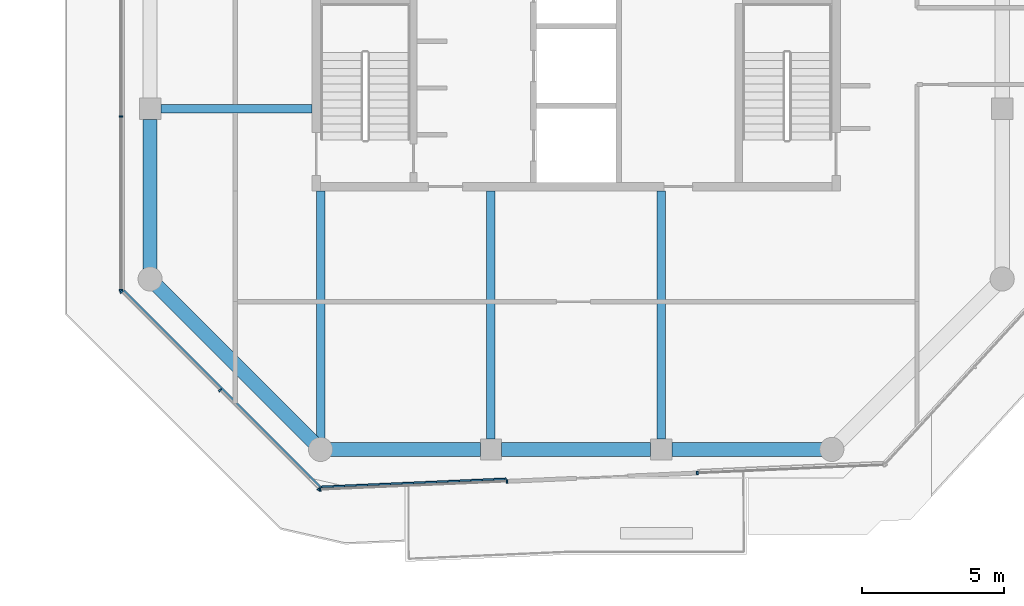
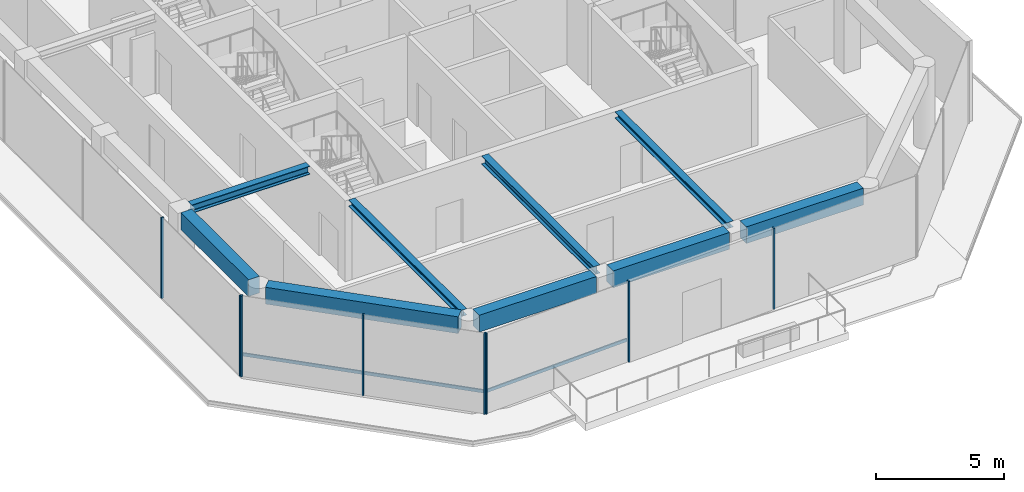
# One storey, part 2 of 20: 10 members, 9 beams, 4 elements without a shape of their own.
"""IFC4 building model written with IfcOpenShell, lengths in metres."""

from ifc_helpers import new_model, si_unit, direction, frame, origin, origin_2d, place, context, subcontext, project, spatial, rectangle, i_section, extrude, material, layer, layer_set, material_profile, profile_set, type_object, element, aggregate, save


model = new_model("IFC4")

# Units and contexts
model_context = context("Model", 3, precision=1e-05, world=origin(), true_north=direction((0.0, 1.0)))
body_context = subcontext(model_context, "Body", "Model", "MODEL_VIEW")
ifc_project = project(units=[si_unit("LENGTHUNIT", "METRE"), si_unit("AREAUNIT", "SQUARE_METRE"), si_unit("VOLUMEUNIT", "CUBIC_METRE"), si_unit("PLANEANGLEUNIT", "RADIAN"), si_unit("MASSUNIT", "GRAM", prefix="KILO")], contexts=[model_context])

# Site, building, storey
site_placement = place(None, origin())
site = spatial("IfcSite", under=ifc_project, at=site_placement, CompositionType="ELEMENT")
building_placement = place(site_placement, origin())
building = spatial("IfcBuilding", under=site, at=building_placement, Name="Welwitschia Terrace Campus", CompositionType="ELEMENT")
storey_placement = place(building_placement, frame((0.0, 0.0, 297.800048828125)))
storey = spatial("IfcBuildingStorey", under=building, at=storey_placement, Name="L66", CompositionType="ELEMENT", Elevation=297.800048828125)

# Beams
ifc_material_1 = material(Name="Steel S355", Category="steel")
ifc_material_profile_1 = material_profile(ifc_material_1, i_section(OverallWidth=0.300048828125, OverallDepth=0.300048828125, WebThickness=0.010986328125, FlangeThickness=0.01904296875, FilletRadius=0.027099609375, at=origin_2d()))
ifc_profile_set_1 = profile_set([ifc_material_profile_1], Name="Steel S355")
beam_type_1 = type_object("IfcBeamType", Name="Interior girder HE 300 B", PredefinedType="BEAM", material=ifc_profile_set_1)
beam_1_placement = place(storey_placement, frame((6.0, -3.611572265625, 3.699951171875), z_axis=(0.0, 1.0, 0.0), x_axis=(-1.0, 0.0, 0.0)))
element("IfcBeam", 1, at=beam_1_placement, inside=storey, type_object=beam_type_1, Name="Girder GB6", PredefinedType="BEAM", context=body_context, shape_type="SweptSolid", body=[
    extrude(i_section(OverallWidth=0.300048828125, OverallDepth=0.300048828125, WebThickness=0.010986328125, FlangeThickness=0.01904296875, FilletRadius=0.027099609375, at=origin_2d()), origin(), (0.0, 0.0, 1.0), 8.710693359375),
])
beam_2_placement = place(storey_placement, frame((18.0, -3.634521484375, 3.699951171875), z_axis=(0.0, 1.0, 0.0), x_axis=(-1.0, 0.0, 0.0)))
element("IfcBeam", 2, at=beam_2_placement, inside=storey, type_object=beam_type_1, Name="Girder GB6", PredefinedType="BEAM", context=body_context, shape_type="SweptSolid", body=[
    extrude(i_section(OverallWidth=0.300048828125, OverallDepth=0.300048828125, WebThickness=0.010986328125, FlangeThickness=0.01904296875, FilletRadius=0.027099609375, at=origin_2d()), origin(), (0.0, 0.0, 1.0), 8.733642578125),
])

# Curtain wall, members
ifc_material_2 = material(Name="Bronze anodised aluminium", Category="aluminium")
ifc_layer = layer(ifc_material_2, 0.1201171875)
ifc_layer_set = layer_set([ifc_layer], Name="Bronze anodised aluminium")
curtain_wall_type = type_object("IfcCurtainWallType", Name="Curtain wall CW2 tower 6000", PredefinedType="NOTDEFINED", material=ifc_layer_set)
curtain_wall_1_placement = place(storey_placement, origin())
curtain_wall_1 = element("IfcCurtainWall", 3, at=curtain_wall_1_placement, inside=storey, type_object=curtain_wall_type, Name="CW L66.0.0", PredefinedType="NOTDEFINED")
ifc_material_3 = material(Name="Bronze anodised aluminium", Category="aluminium")
ifc_material_profile_2 = material_profile(ifc_material_3, rectangle(XDim=0.1201171875, YDim=0.06005859375, at=origin_2d()))
ifc_profile_set_2 = profile_set([ifc_material_profile_2], Name="Bronze anodised aluminium")
member_type_1 = type_object("IfcMemberType", Name="Mullion 60x120", PredefinedType="MULLION", material=ifc_profile_set_2)
member_1_placement = place(storey_placement, frame((-1.0087890625, 1.55224609375, 0.0), z_axis=(0.0, 0.0, 1.0), x_axis=(0.707106781187, 0.707106781187, 0.0)))
member_1 = element("IfcMember", 4, at=member_1_placement, type_object=member_type_1, Name="Mullion L66.0.0.0", PredefinedType="MULLION", context=body_context, shape_type="SweptSolid", body=[
    extrude(rectangle(XDim=0.1201171875, YDim=0.06005859375, at=origin_2d()), origin(), (0.0, 0.0, 1.0), 3.849853515625),
])
member_2_placement = place(storey_placement, frame((2.462646484375, -1.919189453125, 0.0), z_axis=(0.0, 0.0, 1.0), x_axis=(0.707106781187, 0.707106781187, 0.0)))
member_2 = element("IfcMember", 5, at=member_2_placement, type_object=member_type_1, Name="Mullion L66.0.0.1", PredefinedType="MULLION", context=body_context, shape_type="SweptSolid", body=[
    extrude(rectangle(XDim=0.1201171875, YDim=0.06005859375, at=origin_2d()), origin(), (0.0, 0.0, 1.0), 3.849853515625),
])
member_3_placement = place(storey_placement, frame((5.93408203125, -5.390625, 0.0), z_axis=(0.0, 0.0, 1.0), x_axis=(0.707106781187, 0.707106781187, 0.0)))
member_3 = element("IfcMember", 6, at=member_3_placement, type_object=member_type_1, Name="Mullion L66.0.0.2", PredefinedType="MULLION", context=body_context, shape_type="SweptSolid", body=[
    extrude(rectangle(XDim=0.1201171875, YDim=0.06005859375, at=origin_2d()), origin(), (0.0, 0.0, 1.0), 3.849853515625),
])

curtain_wall_2_placement = place(storey_placement, origin())
curtain_wall_2 = element("IfcCurtainWall", 7, at=curtain_wall_2_placement, inside=storey, type_object=curtain_wall_type, Name="CW L66.1.0", PredefinedType="NOTDEFINED")
member_4_placement = place(storey_placement, frame((5.9853515625, -5.41064453125, 0.0), z_axis=(0.0, 0.0, 1.0), x_axis=(-0.043619387365, 0.999048221582, 0.0)))
member_4 = element("IfcMember", 8, at=member_4_placement, type_object=member_type_1, Name="Mullion L66.1.0.0", PredefinedType="MULLION", context=body_context, shape_type="SweptSolid", body=[
    extrude(rectangle(XDim=0.1201171875, YDim=0.06005859375, at=origin_2d()), origin(), (0.0, 0.0, 1.0), 3.849853515625),
])
member_5_placement = place(storey_placement, frame((12.56494140625, -5.123291015625, 0.0), z_axis=(0.0, 0.0, 1.0), x_axis=(-0.043619387365, 0.999048221582, 0.0)))
member_5 = element("IfcMember", 9, at=member_5_placement, type_object=member_type_1, Name="Mullion L66.1.0.1", PredefinedType="MULLION", context=body_context, shape_type="SweptSolid", body=[
    extrude(rectangle(XDim=0.1201171875, YDim=0.06005859375, at=origin_2d()), origin(), (0.0, 0.0, 1.0), 3.849853515625),
])

# Curtain wall, member
curtain_wall_3_placement = place(storey_placement, origin())
curtain_wall_3 = element("IfcCurtainWall", 10, at=curtain_wall_3_placement, inside=storey, type_object=curtain_wall_type, Name="CW L66.1.2", PredefinedType="NOTDEFINED")
member_6_placement = place(storey_placement, frame((19.2646484375, -4.830810546875, 0.0), z_axis=(0.0, 0.0, 1.0), x_axis=(-0.043619387365, 0.999048221582, 0.0)))
member_6 = element("IfcMember", 11, at=member_6_placement, type_object=member_type_1, Name="Mullion L66.1.2.0", PredefinedType="MULLION", context=body_context, shape_type="SweptSolid", body=[
    extrude(rectangle(XDim=0.1201171875, YDim=0.06005859375, at=origin_2d()), origin(), (0.0, 0.0, 1.0), 3.849853515625),
])
aggregate(curtain_wall_3, [member_6])

# Curtain wall, members
curtain_wall_4_placement = place(storey_placement, origin())
curtain_wall_4 = element("IfcCurtainWall", 12, at=curtain_wall_4_placement, inside=storey, type_object=curtain_wall_type, Name="CW L66.9.0", PredefinedType="NOTDEFINED")
member_7_placement = place(storey_placement, frame((-1.030029296875, 7.718994140625, 0.0), z_axis=(0.0, 0.0, 1.0), x_axis=(1.0, 0.0, 0.0)))
member_7 = element("IfcMember", 13, at=member_7_placement, type_object=member_type_1, Name="Mullion L66.9.0.9", PredefinedType="MULLION", context=body_context, shape_type="SweptSolid", body=[
    extrude(rectangle(XDim=0.1201171875, YDim=0.06005859375, at=origin_2d()), origin(), (0.0, 0.0, 1.0), 3.849853515625),
])
member_8_placement = place(storey_placement, frame((-1.030029296875, 1.603271484375, 0.0), z_axis=(0.0, 0.0, 1.0), x_axis=(1.0, 0.0, 0.0)))
member_8 = element("IfcMember", 14, at=member_8_placement, type_object=member_type_1, Name="Mullion L66.9.0.10", PredefinedType="MULLION", context=body_context, shape_type="SweptSolid", body=[
    extrude(rectangle(XDim=0.1201171875, YDim=0.06005859375, at=origin_2d()), origin(), (0.0, 0.0, 1.0), 3.849853515625),
])
aggregate(curtain_wall_4, [member_7, member_8])

# Beams
ifc_material_4 = material(Name="Steel S355", Category="steel")
ifc_material_profile_3 = material_profile(ifc_material_4, i_section(OverallWidth=0.300048828125, OverallDepth=0.39990234375, WebThickness=0.013427734375, FlangeThickness=0.02392578125, FilletRadius=0.027099609375, at=origin_2d()))
ifc_profile_set_3 = profile_set([ifc_material_profile_3], Name="Steel S355")
beam_type_2 = type_object("IfcBeamType", Name="Primary beam HE 400 B", PredefinedType="BEAM", material=ifc_profile_set_3)
beam_3_placement = place(storey_placement, frame((12.0, -3.62451171875, 3.64990234375), z_axis=(0.0, 1.0, 0.0), x_axis=(-1.0, 0.0, 0.0)))
element("IfcBeam", 15, at=beam_3_placement, inside=storey, type_object=beam_type_2, Name="Primary beam PB6", PredefinedType="BEAM", context=body_context, shape_type="SweptSolid", body=[
    extrude(i_section(OverallWidth=0.300048828125, OverallDepth=0.39990234375, WebThickness=0.013427734375, FlangeThickness=0.02392578125, FilletRadius=0.027099609375, at=origin_2d()), origin(), (0.0, 0.0, 1.0), 8.724609375),
])
beam_4_placement = place(storey_placement, frame((0.37548828125, 8.0, 3.64990234375), z_axis=(1.0, 0.0, 0.0), x_axis=(0.0, 1.0, 0.0)))
element("IfcBeam", 16, at=beam_4_placement, inside=storey, type_object=beam_type_2, Name="Primary beam PB6", PredefinedType="BEAM", context=body_context, shape_type="SweptSolid", body=[
    extrude(i_section(OverallWidth=0.300048828125, OverallDepth=0.39990234375, WebThickness=0.013427734375, FlangeThickness=0.02392578125, FilletRadius=0.027099609375, at=origin_2d()), origin(), (0.0, 0.0, 1.0), 5.324462890625),
])
ifc_material_5 = material(Name="Concrete C50/60", Category="concrete")
ifc_material_profile_4 = material_profile(ifc_material_5, rectangle(XDim=0.5, YDim=0.800048828125, at=origin_2d()))
ifc_profile_set_4 = profile_set([ifc_material_profile_4], Name="Concrete C50/60")
beam_type_3 = type_object("IfcBeamType", Name="Ring spandrel 500x800", PredefinedType="SPANDREL", material=ifc_profile_set_4)
beam_5_placement = place(storey_placement, frame((0.24365234375, 1.75634765625, 3.449951171875), z_axis=(0.707106781187, -0.707106781187, 0.0), x_axis=(0.707106781187, 0.707106781187, 0.0)))
element("IfcBeam", 17, at=beam_5_placement, inside=storey, type_object=beam_type_3, Name="Spandrel SP4", PredefinedType="SPANDREL", context=body_context, shape_type="SweptSolid", body=[
    extrude(rectangle(XDim=0.5, YDim=0.800048828125, at=origin_2d()), origin(), (0.0, 0.0, 1.0), 7.796142578125),
])
beam_6_placement = place(storey_placement, frame((6.344482421875, -4.0, 3.449951171875), z_axis=(1.0, 0.0, 0.0), x_axis=(0.0, 1.0, 0.0)))
element("IfcBeam", 18, at=beam_6_placement, inside=storey, type_object=beam_type_3, Name="Spandrel SP4", PredefinedType="SPANDREL", context=body_context, shape_type="SweptSolid", body=[
    extrude(rectangle(XDim=0.5, YDim=0.800048828125, at=origin_2d()), origin(), (0.0, 0.0, 1.0), 5.280029296875),
])
beam_7_placement = place(storey_placement, frame((12.37548828125, -4.0, 3.449951171875), z_axis=(1.0, 0.0, 0.0), x_axis=(0.0, 1.0, 0.0)))
element("IfcBeam", 19, at=beam_7_placement, inside=storey, type_object=beam_type_3, Name="Spandrel SP4", PredefinedType="SPANDREL", context=body_context, shape_type="SweptSolid", body=[
    extrude(rectangle(XDim=0.5, YDim=0.800048828125, at=origin_2d()), origin(), (0.0, 0.0, 1.0), 5.2490234375),
])
for number, where, z_axis, x_axis, name in (
    (20, (18.37548828125, -4.0, 3.449951171875), (1.0, 0.0, 0.0), (0.0, 1.0, 0.0), "Spandrel SP4"),
    (21, (0.0, 7.62451171875, 3.449951171875), (0.0, -1.0, 0.0), (1.0, 0.0, 0.0), "Spandrel SP4"),
):
    element("IfcBeam", number, at=place(storey_placement, frame(where, z_axis=z_axis, x_axis=x_axis)), inside=storey, type_object=beam_type_3, Name=name, PredefinedType="SPANDREL", context=body_context, shape_type="SweptSolid", body=[
        extrude(rectangle(XDim=0.5, YDim=0.800048828125, at=origin_2d()), origin(), (0.0, 0.0, 1.0), 5.280029296875),
    ])

# Member
ifc_material_6 = material(Name="Bronze anodised aluminium", Category="aluminium")
ifc_material_profile_5 = material_profile(ifc_material_6, rectangle(XDim=0.06005859375, YDim=0.14990234375, at=origin_2d()))
ifc_profile_set_5 = profile_set([ifc_material_profile_5], Name="Bronze anodised aluminium")
member_type_2 = type_object("IfcMemberType", Name="Transom 60x150", PredefinedType="USERDEFINED", material=ifc_profile_set_5)
member_9_placement = place(storey_placement, frame((-0.923828125, 1.594482421875, 1.0), z_axis=(0.707106781187, -0.707106781187, 0.0), x_axis=(0.707106781187, 0.707106781187, 0.0)))
member_9 = element("IfcMember", 22, at=member_9_placement, type_object=member_type_2, Name="Transom L66.0.0", ObjectType="TRANSOM", PredefinedType="USERDEFINED", context=body_context, shape_type="SweptSolid", body=[
    extrude(rectangle(XDim=0.06005859375, YDim=0.14990234375, at=origin_2d()), origin(), (0.0, 0.0, 1.0), 9.758544921875),
])

aggregate(curtain_wall_1, [member_1, member_2, member_3, member_9])

member_10_placement = place(storey_placement, frame((6.01123046875, -5.3193359375, 1.0), z_axis=(0.999048165305, 0.043620676306, 0.0), x_axis=(-0.043620676306, 0.999048165305, 0.0)))
member_10 = element("IfcMember", 23, at=member_10_placement, type_object=member_type_2, Name="Transom L66.1.0", ObjectType="TRANSOM", PredefinedType="USERDEFINED", context=body_context, shape_type="SweptSolid", body=[
    extrude(rectangle(XDim=0.06005859375, YDim=0.14990234375, at=origin_2d()), origin(), (0.0, 0.0, 1.0), 6.52587890625),
])

aggregate(curtain_wall_2, [member_4, member_5, member_10])

save(model, "model.ifc")
